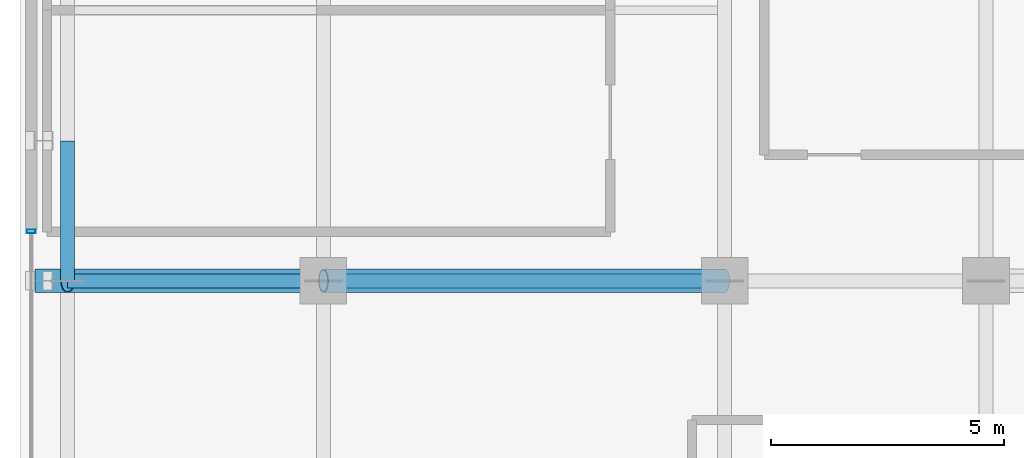
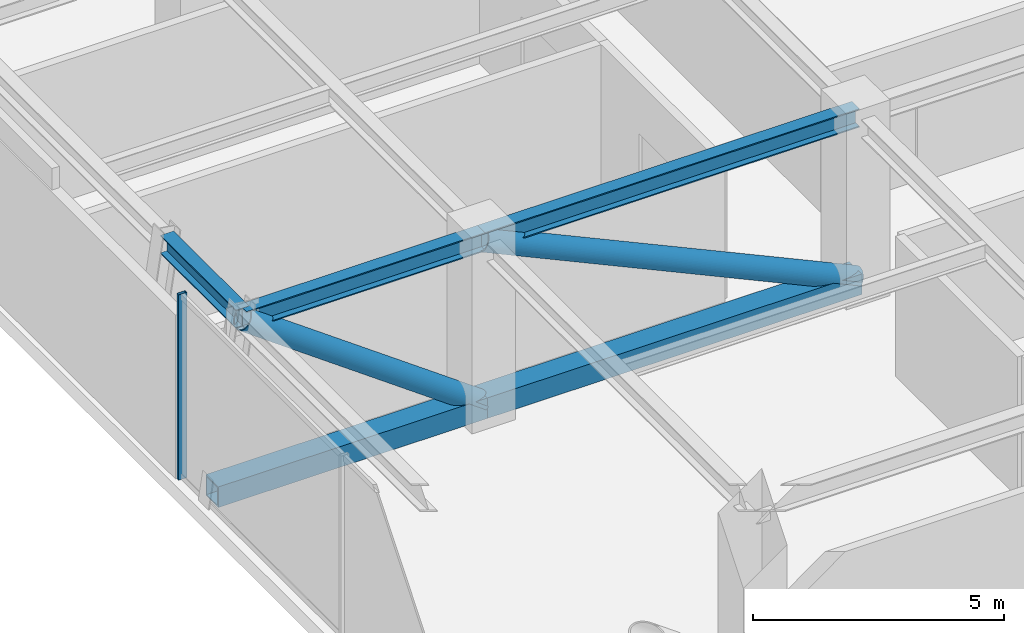
# One storey, part 4 of 15: 5 members, 3 beams, 1 element without a shape of its own.
"""IFC4 building model written with IfcOpenShell, lengths in metres."""

from ifc_helpers import new_model, si_unit, direction, frame, origin, origin_2d, place, context, subcontext, project, spatial, hollow_rectangle, hollow_circle, i_section, extrude, source, transform, mapped, material, material_profile, profile_set, type_object, element, aggregate, save


model = new_model("IFC4")

# Units and contexts
model_context = context("Model", 3, precision=1e-05, world=origin(), true_north=direction((0.0, 1.0)))
body_context = subcontext(model_context, "Body", "Model", "MODEL_VIEW")
ifc_project = project(units=[si_unit("LENGTHUNIT", "METRE"), si_unit("AREAUNIT", "SQUARE_METRE"), si_unit("VOLUMEUNIT", "CUBIC_METRE"), si_unit("PLANEANGLEUNIT", "RADIAN"), si_unit("MASSUNIT", "GRAM", prefix="KILO")], contexts=[model_context])

# Site, building, storey
site_placement = place(None, origin())
site = spatial("IfcSite", under=ifc_project, at=site_placement, CompositionType="ELEMENT")
building_placement = place(site_placement, origin())
building = spatial("IfcBuilding", under=site, at=building_placement, Name="Nahalor Promenade Grand Hotel", CompositionType="ELEMENT")
storey_placement = place(building_placement, frame((0.0, 0.0, 261.5)))
storey = spatial("IfcBuildingStorey", under=building, at=storey_placement, Name="L67", CompositionType="ELEMENT", Elevation=261.5)

# Beams
ifc_material_1 = material(Name="Steel S355JR", Category="steel")
ifc_material_profile_1 = material_profile(ifc_material_1, i_section(OverallWidth=0.3, OverallDepth=0.45, WebThickness=0.014, FlangeThickness=0.026, at=origin_2d()), Name="HEB 450")
ifc_profile_set_1 = profile_set([ifc_material_profile_1], Name="Steel S355JR")
beam_type_1 = type_object("IfcBeamType", Name="Beam-Spandrel-HEB450", PredefinedType="SPANDREL", material=ifc_profile_set_1)
shared_shape_1 = source(origin(), body_context, "Body", "SweptSolid", [
    extrude(i_section(OverallWidth=0.3, OverallDepth=0.45, WebThickness=0.014, FlangeThickness=0.026, at=origin_2d()), origin(), (0.0, 0.0, 1.0), 3.0),
])
beam_1_placement = place(storey_placement, frame((-22.47998046875, 5.39990234375, 4.27490234375), z_axis=(0.0, 1.0, 0.0), x_axis=(-1.0, 0.0, 0.0)))
element("IfcBeam", 1, at=beam_1_placement, inside=storey, type_object=beam_type_1, Name="BM-L67-SP-W-3", PredefinedType="SPANDREL", context=body_context, shape_type="MappedRepresentation", body=[
    mapped(shared_shape_1, transform((0.0, 0.0, 0.0), scale=1.0)),
])
ifc_material_profile_2 = material_profile(ifc_material_1, i_section(OverallWidth=0.3, OverallDepth=0.45, WebThickness=0.014, FlangeThickness=0.026, at=origin_2d()), Name="HEB 450")
ifc_profile_set_2 = profile_set([ifc_material_profile_2], Name="Steel S355JR")
beam_type_2 = type_object("IfcBeamType", Name="Beam-Girder-HEB450", PredefinedType="BEAM", material=ifc_profile_set_2)
shared_shape_2 = source(origin(), body_context, "Body", "SweptSolid", [
    extrude(i_section(OverallWidth=0.3, OverallDepth=0.45, WebThickness=0.014, FlangeThickness=0.026, at=origin_2d()), origin(), (0.0, 0.0, 1.0), 8.60009765625),
])
beam_2_placement = place(storey_placement, frame((-17.0, 5.39990234375, 4.27490234375), z_axis=(1.0, 0.0, 0.0), x_axis=(0.0, 1.0, 0.0)))
element("IfcBeam", 2, at=beam_2_placement, inside=storey, type_object=beam_type_2, Name="BM-L67-GX-2-1", PredefinedType="BEAM", context=body_context, shape_type="MappedRepresentation", body=[
    mapped(shared_shape_2, transform((0.0, 0.0, 0.0), scale=1.0)),
])
shared_shape_3 = source(origin(), body_context, "Body", "SweptSolid", [
    extrude(i_section(OverallWidth=0.3, OverallDepth=0.45, WebThickness=0.014, FlangeThickness=0.026, at=origin_2d()), origin(), (0.0, 0.0, 1.0), 5.47998046875),
])
beam_3_placement = place(storey_placement, frame((-22.47998046875, 5.39990234375, 4.27490234375), z_axis=(1.0, 0.0, 0.0), x_axis=(0.0, 1.0, 0.0)))
element("IfcBeam", 3, at=beam_3_placement, inside=storey, type_object=beam_type_2, Name="BM-L67-GX-2-0", PredefinedType="BEAM", context=body_context, shape_type="MappedRepresentation", body=[
    mapped(shared_shape_3, transform((0.0, 0.0, 0.0), scale=1.0)),
])

# Members
ifc_material_2 = material(Name="Steel S355J2", Category="steel")
ifc_material_profile_3 = material_profile(ifc_material_2, hollow_rectangle(XDim=0.5, YDim=0.5, WallThickness=0.032, at=origin_2d()), Name="SHS 500x500x32")
ifc_profile_set_3 = profile_set([ifc_material_profile_3], Name="Steel S355J2")
member_type_1 = type_object("IfcMemberType", Name="Mem-Chord-SHS500", PredefinedType="CHORD", material=ifc_profile_set_3)
shared_shape_4 = source(origin(), body_context, "Body", "SweptSolid", [
    extrude(hollow_rectangle(XDim=0.5, YDim=0.5, WallThickness=0.032, at=origin_2d()), origin(), (0.0, 0.0, 1.0), 8.60009765625),
])
member_1_placement = place(storey_placement, frame((-8.39990234375, 5.39990234375, 0.300048828125), z_axis=(-1.0, 0.0, 0.0), x_axis=(0.0, -1.0, 0.0)))
element("IfcMember", 4, at=member_1_placement, inside=storey, type_object=member_type_1, Name="OU-L67-W2-C1", PredefinedType="CHORD", context=body_context, shape_type="MappedRepresentation", body=[
    mapped(shared_shape_4, transform((0.0, 0.0, 0.0), scale=1.0)),
])
ifc_material_profile_4 = material_profile(ifc_material_2, hollow_circle(Radius=0.254, WallThickness=0.025, at=origin_2d()), Name="CHS 508x25")
ifc_profile_set_4 = profile_set([ifc_material_profile_4], Name="Steel S355J2")
member_type_2 = type_object("IfcMemberType", Name="Mem-OutDiag-CHS508", PredefinedType="BRACE", material=ifc_profile_set_4)
shared_shape_5 = source(origin(), body_context, "Body", "SweptSolid", [
    extrude(hollow_circle(Radius=0.254, WallThickness=0.025, at=origin_2d()), origin(), (0.0, 0.0, 1.0), 9.4638671875),
])
member_2_placement = place(storey_placement, frame((-8.39990234375, 5.39990234375, 0.300048828125), z_axis=(-0.908734762388, 0.0, 0.417374090748), x_axis=(0.0, -1.0, 0.0)))
element("IfcMember", 5, at=member_2_placement, inside=storey, type_object=member_type_2, Name="OU-L67-W2-D1", PredefinedType="BRACE", context=body_context, shape_type="MappedRepresentation", body=[
    mapped(shared_shape_5, transform((0.0, 0.0, 0.0), scale=1.0)),
])
shared_shape_6 = source(origin(), body_context, "Body", "SweptSolid", [
    extrude(hollow_circle(Radius=0.254, WallThickness=0.025, at=origin_2d()), origin(), (0.0, 0.0, 1.0), 6.755126953125),
])
member_3_placement = place(storey_placement, frame((-17.0, 5.39990234375, 0.300048828125), z_axis=(-0.811227809451, 0.0, 0.5847302294), x_axis=(0.0, -1.0, 0.0)))
element("IfcMember", 6, at=member_3_placement, inside=storey, type_object=member_type_2, Name="OU-L67-W2-D2", PredefinedType="BRACE", context=body_context, shape_type="MappedRepresentation", body=[
    mapped(shared_shape_6, transform((0.0, 0.0, 0.0), scale=1.0)),
])
shared_shape_7 = source(origin(), body_context, "Body", "SweptSolid", [
    extrude(hollow_rectangle(XDim=0.5, YDim=0.5, WallThickness=0.032, at=origin_2d()), origin(), (0.0, 0.0, 1.0), 6.179931640625),
])
member_4_placement = place(storey_placement, frame((-17.0, 5.39990234375, 0.300048828125), z_axis=(-1.0, 0.0, 0.0), x_axis=(0.0, -1.0, 0.0)))
element("IfcMember", 7, at=member_4_placement, inside=storey, type_object=member_type_1, Name="OU-L67-W2-C2", PredefinedType="CHORD", context=body_context, shape_type="MappedRepresentation", body=[
    mapped(shared_shape_7, transform((0.0, 0.0, 0.0), scale=1.0)),
])

# Curtain wall, member
ifc_material_3 = material(Name="Anodised Bronze Aluminium EN AW-6063 T6", Category="aluminium")
curtain_wall_type = type_object("IfcCurtainWallType", Name="CW6 Crown Botanical Conservatory Curtain Wall", PredefinedType="USERDEFINED", material=ifc_material_3)
curtain_wall_placement = place(storey_placement, origin())
curtain_wall = element("IfcCurtainWall", 8, at=curtain_wall_placement, inside=storey, type_object=curtain_wall_type, Name="L67 Curtain Wall CW-L67-W", ObjectType="UNITISED_CURTAIN_WALL", PredefinedType="USERDEFINED")
ifc_material_profile_5 = material_profile(ifc_material_3, hollow_rectangle(XDim=0.075, YDim=0.19, WallThickness=0.005, at=origin_2d()), Name="CWM 75x190x5")
ifc_profile_set_5 = profile_set([ifc_material_profile_5], Name="Anodised Bronze Aluminium EN AW-6063 T6")
member_type_3 = type_object("IfcMemberType", Name="CWM6 Conservatory Bronze Mullion 75x190", PredefinedType="MULLION", material=ifc_profile_set_5)
shared_shape_8 = source(origin(), body_context, "Body", "SweptSolid", [
    extrude(hollow_rectangle(XDim=0.075, YDim=0.19, WallThickness=0.005, at=origin_2d()), origin(), (0.0, 0.0, 1.0), 4.5),
])
member_5_placement = place(storey_placement, frame((-23.260009765625, 6.46240234375, 0.0), z_axis=(0.0, 0.0, 1.0), x_axis=(0.0, 1.0, 0.0)))
member_5 = element("IfcMember", 9, at=member_5_placement, type_object=member_type_3, Name="CW-L67-W Mullion 2", PredefinedType="MULLION", context=body_context, shape_type="MappedRepresentation", body=[
    mapped(shared_shape_8, transform((0.0, 0.0, 0.0), scale=1.0)),
])
aggregate(curtain_wall, [member_5])

save(model, "model.ifc")
